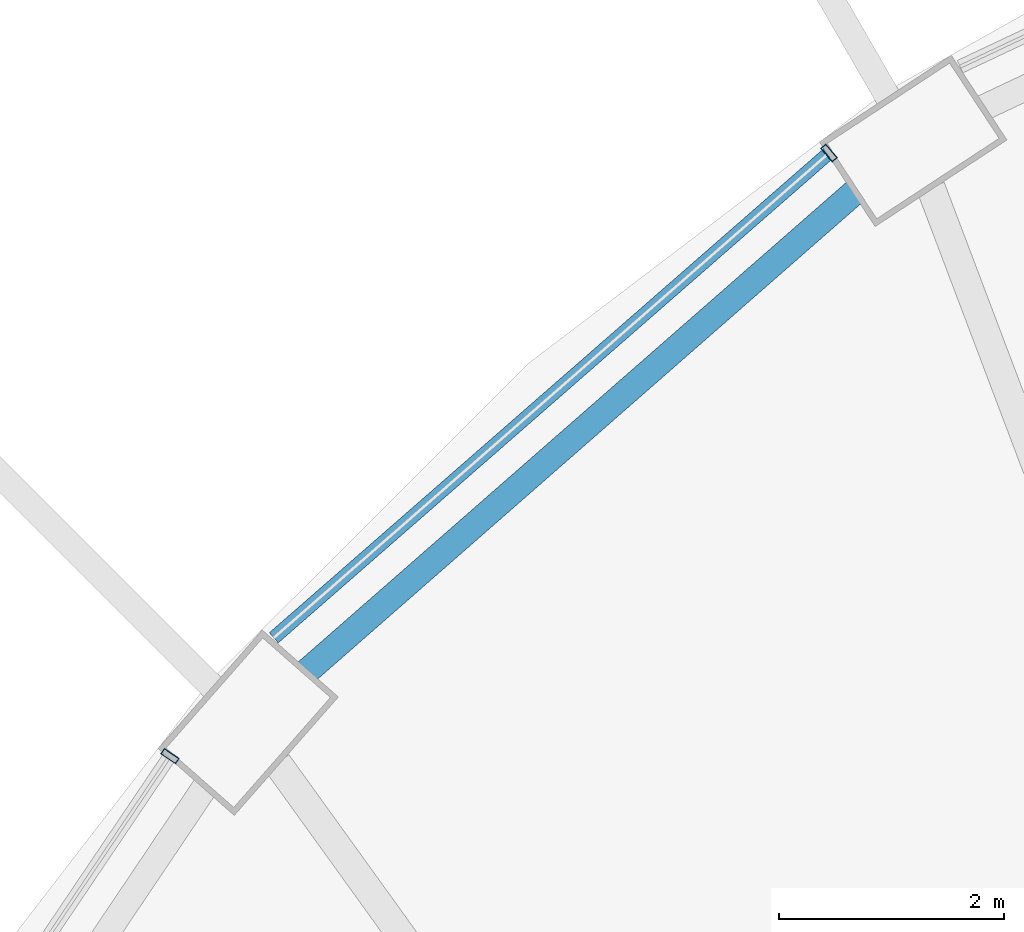
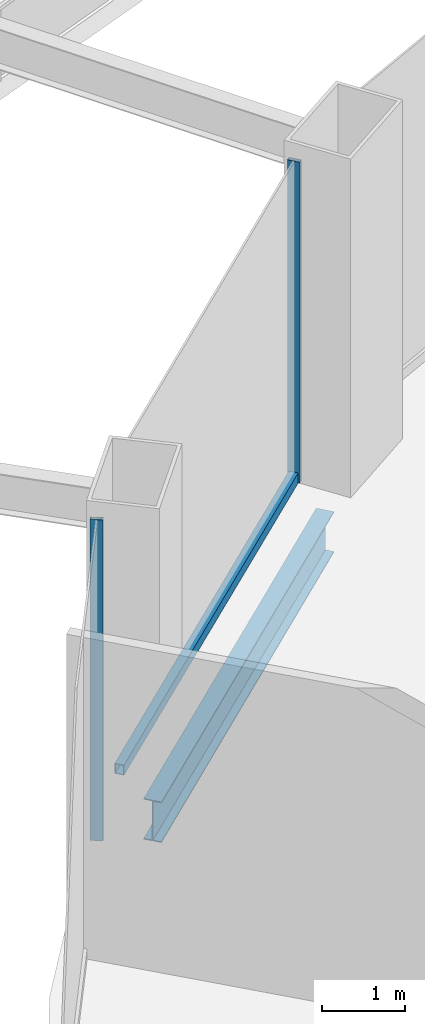
# One storey, part 31 of 52: 3 members, 1 beam, 2 elements without a shape of their own.
"""IFC4 building model written with IfcOpenShell, lengths in metres."""

from ifc_helpers import new_model, si_unit, direction, frame, origin, origin_2d, place, context, subcontext, project, spatial, hollow_rectangle, i_section, extrude, material, layer, layer_set, material_profile, profile_set, type_object, element, aggregate, save


model = new_model("IFC4")

# Units and contexts
model_context = context("Model", 3, precision=1e-05, world=origin(), true_north=direction((0.0, 1.0)))
body_context = subcontext(model_context, "Body", "Model", "MODEL_VIEW")
ifc_project = project(units=[si_unit("LENGTHUNIT", "METRE"), si_unit("AREAUNIT", "SQUARE_METRE"), si_unit("VOLUMEUNIT", "CUBIC_METRE"), si_unit("PLANEANGLEUNIT", "RADIAN"), si_unit("MASSUNIT", "GRAM", prefix="KILO")], contexts=[model_context])

# Site, building, storey
site_placement = place(None, origin())
site = spatial("IfcSite", under=ifc_project, at=site_placement, CompositionType="ELEMENT")
building_placement = place(site_placement, origin())
building = spatial("IfcBuilding", under=site, at=building_placement, Name="Nagisa Residences", CompositionType="ELEMENT")
storey_placement = place(building_placement, frame((0.0, 0.0, 22.0)))
storey = spatial("IfcBuildingStorey", under=building, at=storey_placement, Name="L04", CompositionType="ELEMENT", Elevation=22.0)

# Curtain wall, member
ifc_material_1 = material(Name="Stainless steel curtain wall system", Category="steel")
ifc_layer = layer(ifc_material_1, 0.159912109375)
ifc_layer_set = layer_set([ifc_layer], Name="CW6 CURTAIN WALL")
curtain_wall_type = type_object("IfcCurtainWallType", Name="CW6 CURTAIN WALL", PredefinedType="NOTDEFINED", material=ifc_layer_set)
curtain_wall_1_placement = place(storey_placement, origin())
curtain_wall_1 = element("IfcCurtainWall", 1, at=curtain_wall_1_placement, inside=storey, type_object=curtain_wall_type, Name="cw:CW6:L04:16", PredefinedType="NOTDEFINED")
ifc_material_2 = material(Name="Stainless steel", Category="steel")
ifc_material_profile_1 = material_profile(ifc_material_2, hollow_rectangle(XDim=0.159912109375, YDim=0.06005859375, WallThickness=0.006103515625, at=origin_2d()), Name="CW6 MULLION 160x60")
ifc_profile_set_1 = profile_set([ifc_material_profile_1], Name="Stainless steel")
member_type_1 = type_object("IfcMemberType", Name="CW6 MULLION 160x60", PredefinedType="MULLION", material=ifc_profile_set_1)
member_1_placement = place(storey_placement, frame((-11.397216796875, 28.038330078125, 0.0), z_axis=(0.0, 0.0, 1.0), x_axis=(0.657721475708, -0.753261216572, 0.0)))
member_1 = element("IfcMember", 2, at=member_1_placement, type_object=member_type_1, Name="CW6 mullion", PredefinedType="MULLION", context=body_context, shape_type="SweptSolid", body=[
    extrude(hollow_rectangle(XDim=0.159912109375, YDim=0.06005859375, WallThickness=0.006103515625, at=origin_2d()), origin(), (0.0, 0.0, 1.0), 4.739990234375),
])

curtain_wall_2_placement = place(storey_placement, origin())
curtain_wall_2 = element("IfcCurtainWall", 3, at=curtain_wall_2_placement, inside=storey, type_object=curtain_wall_type, Name="cw:CW6:L04:18", PredefinedType="NOTDEFINED")
member_2_placement = place(storey_placement, frame((-17.247802734375, 22.6845703125, 0.0), z_axis=(0.0, 0.0, 1.0), x_axis=(0.829110926393, -0.559084136544, 0.0)))
member_2 = element("IfcMember", 4, at=member_2_placement, type_object=member_type_1, Name="CW6 mullion", PredefinedType="MULLION", context=body_context, shape_type="SweptSolid", body=[
    extrude(hollow_rectangle(XDim=0.159912109375, YDim=0.06005859375, WallThickness=0.006103515625, at=origin_2d()), origin(), (0.0, 0.0, 1.0), 4.739990234375),
])
aggregate(curtain_wall_2, [member_2])

# Member
ifc_material_3 = material(Name="Stainless steel", Category="steel")
ifc_material_profile_2 = material_profile(ifc_material_3, hollow_rectangle(XDim=0.1201171875, YDim=0.14990234375, WallThickness=0.008056640625, at=origin_2d()), Name="CW6 TRANSOM 120x150")
ifc_profile_set_2 = profile_set([ifc_material_profile_2], Name="Stainless steel")
member_type_2 = type_object("IfcMemberType", Name="CW6 TRANSOM 120x150", PredefinedType="USERDEFINED", material=ifc_profile_set_2)
member_3_placement = place(storey_placement, frame((-11.374755859375, 28.05810546875, 0.074951171875), z_axis=(-0.753255020636, -0.657728571591, 0.0), x_axis=(0.657728571591, -0.753255020636, 0.0)))
member_3 = element("IfcMember", 5, at=member_3_placement, type_object=member_type_2, Name="CW6 transom", ObjectType="TRANSOM", PredefinedType="USERDEFINED", context=body_context, shape_type="SweptSolid", body=[
    extrude(hollow_rectangle(XDim=0.1201171875, YDim=0.14990234375, WallThickness=0.008056640625, at=origin_2d()), origin(), (0.0, 0.0, 1.0), 6.5732421875),
])

aggregate(curtain_wall_1, [member_1, member_3])

# Beam
ifc_material_4 = material(Name="Steel ASTM A572 Gr 50", Category="steel")
ifc_material_profile_3 = material_profile(ifc_material_4, i_section(OverallWidth=0.22802734375, OverallDepth=0.60302734375, WebThickness=0.010498046875, FlangeThickness=0.014892578125, at=origin_2d()), Name="W610x101")
ifc_profile_set_3 = profile_set([ifc_material_profile_3], Name="Steel ASTM A572 Gr 50")
beam_type = type_object("IfcBeamType", Name="Perimeter ring beam W610x101", PredefinedType="BEAM", material=ifc_profile_set_3)
beam_placement = place(storey_placement, frame((-11.166748046875, 27.693603515625, -0.6015625), z_axis=(-0.752574357292, -0.658507279191, 0.0), x_axis=(0.658507279191, -0.752574357292, 0.0)))
element("IfcBeam", 6, at=beam_placement, inside=storey, type_object=beam_type, Name="beam:L04:pb09", PredefinedType="BEAM", context=body_context, shape_type="SweptSolid", body=[
    extrude(i_section(OverallWidth=0.22802734375, OverallDepth=0.60302734375, WebThickness=0.010498046875, FlangeThickness=0.014892578125, at=origin_2d()), origin(), (0.0, 0.0, 1.0), 6.47021484375),
])

save(model, "model.ifc")
